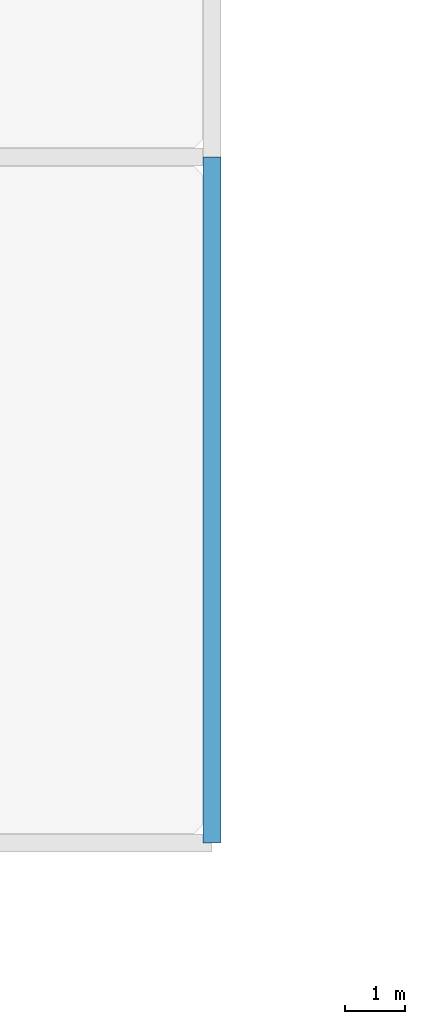
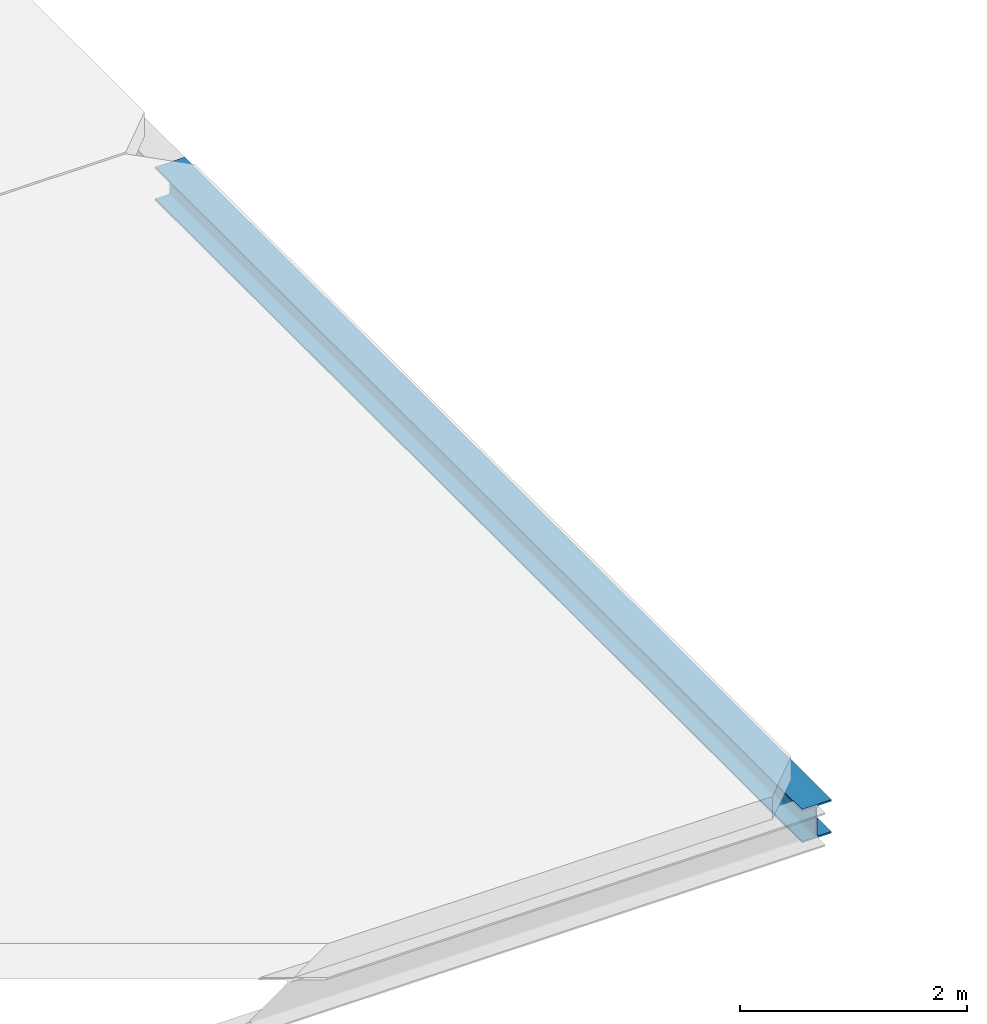
# One storey, part 40 of 125: 1 beam.
"""IFC4 building model written with IfcOpenShell, lengths in metres."""

from ifc_helpers import new_model, si_unit, direction, frame, origin, origin_2d, place, context, subcontext, project, spatial, i_section, extrude, material, material_profile, profile_set, type_object, element, save


model = new_model("IFC4")

# Units and contexts
model_context = context("Model", 3, precision=1e-05, world=origin(), true_north=direction((0.0, 1.0)))
body_context = subcontext(model_context, "Body", "Model", "MODEL_VIEW")
ifc_project = project(units=[si_unit("LENGTHUNIT", "METRE"), si_unit("AREAUNIT", "SQUARE_METRE"), si_unit("VOLUMEUNIT", "CUBIC_METRE"), si_unit("PLANEANGLEUNIT", "RADIAN"), si_unit("MASSUNIT", "GRAM", prefix="KILO")], contexts=[model_context])

# Site, building, storey
site_placement = place(None, origin())
site = spatial("IfcSite", under=ifc_project, at=site_placement, CompositionType="ELEMENT")
building_placement = place(site_placement, origin())
building = spatial("IfcBuilding", under=site, at=building_placement, Name="Serraforn Aerial Cableway Station", CompositionType="ELEMENT")
storey_placement = place(building_placement, frame((0.0, 0.0, 4.5)))
storey = spatial("IfcBuildingStorey", under=building, at=storey_placement, Name="L01", CompositionType="ELEMENT", Elevation=4.5)

# Beam
ifc_material = material(Name="Steel S355JR", Category="steel")
ifc_material_profile = material_profile(ifc_material, i_section(OverallWidth=0.300048828125, OverallDepth=0.360107421875, WebThickness=0.010009765625, FlangeThickness=0.017578125, FilletRadius=0.027099609375, at=origin_2d()), Name="HEA 360")
ifc_profile_set = profile_set([ifc_material_profile], Name="Steel S355JR")
beam_type = type_object("IfcBeamType", Name="BM-ST-HEA360", PredefinedType="BEAM", material=ifc_profile_set)
beam_placement = place(storey_placement, frame((164.199951171875, 19.60009765625, -0.445068359375), z_axis=(0.0, 1.0, 0.0), x_axis=(-1.0, 0.0, 0.0)))
element("IfcBeam", 1, at=beam_placement, inside=storey, type_object=beam_type, Name="Colonnade Cross Beam EFY-2-1", PredefinedType="BEAM", context=body_context, shape_type="SweptSolid", body=[
    extrude(i_section(OverallWidth=0.300048828125, OverallDepth=0.360107421875, WebThickness=0.010009765625, FlangeThickness=0.017578125, FilletRadius=0.027099609375, at=origin_2d()), origin(), (0.0, 0.0, 1.0), 11.39990234375),
])

save(model, "model.ifc")
